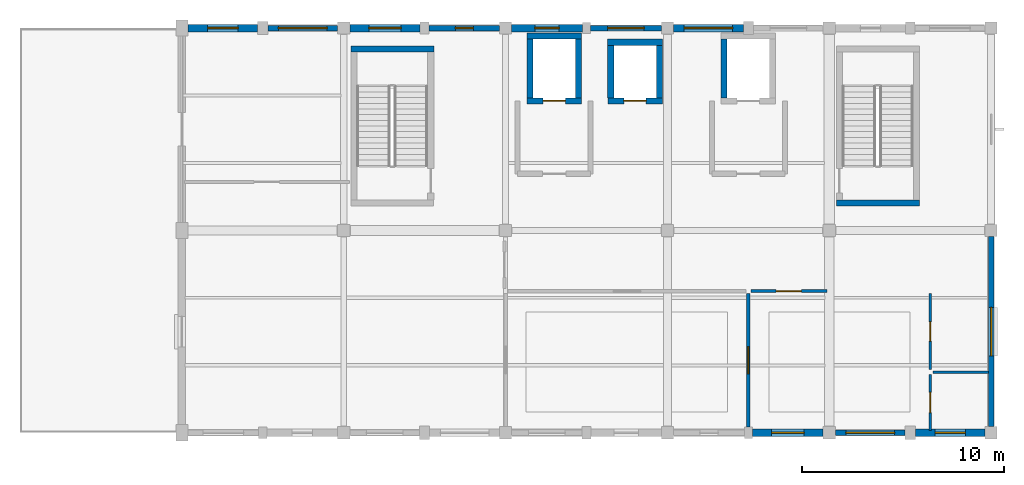
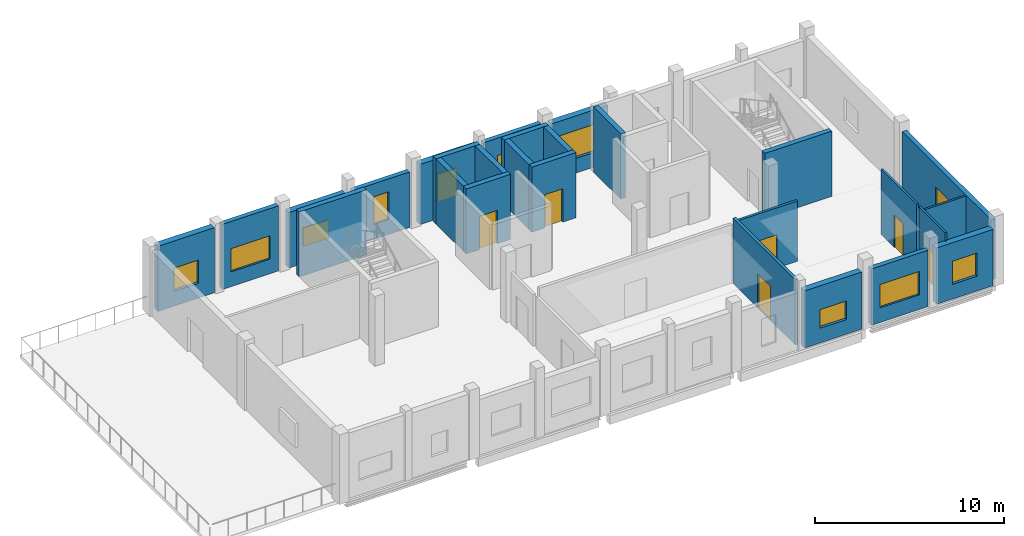
# One storey, part 3 of 6: 27 walls, 11 windows, 6 doors, 17 openings.
"""IFC4 building model written with IfcOpenShell, lengths in metres."""

from ifc_helpers import new_model, si_unit, direction, frame, frame_2d, origin, place, context, subcontext, project, spatial, rectangle, extrude, material, layer, layer_set, type_object, element, fill, save


model = new_model("IFC4")

# Units and contexts
model_context = context("Model", 3, precision=1e-05, world=origin(), true_north=direction((0.0, 1.0)))
body_context = subcontext(model_context, "Body", "Model", "MODEL_VIEW")
ifc_project = project(units=[si_unit("LENGTHUNIT", "METRE"), si_unit("AREAUNIT", "SQUARE_METRE"), si_unit("VOLUMEUNIT", "CUBIC_METRE"), si_unit("PLANEANGLEUNIT", "RADIAN"), si_unit("MASSUNIT", "GRAM", prefix="KILO")], contexts=[model_context])

# Site, building, storey
site_placement = place(None, origin())
site = spatial("IfcSite", under=ifc_project, at=site_placement, CompositionType="ELEMENT")
building_placement = place(site_placement, origin())
building = spatial("IfcBuilding", under=site, at=building_placement, Name="Luwemba Playhouse", CompositionType="ELEMENT")
storey_placement = place(building_placement, frame((0.0, 0.0, 18.300048828125)))
storey = spatial("IfcBuildingStorey", under=building, at=storey_placement, Name="L04", CompositionType="ELEMENT", Elevation=18.300048828125)

# Wall, opening, window
ifc_material_1 = material(Name="Clay facing brick obra vista masonry", Category="masonry")
ifc_layer_1 = layer(ifc_material_1, 0.3798828125)
ifc_layer_set_1 = layer_set([ifc_layer_1], Name="Clay facing brick obra vista masonry")
wall_type_1 = type_object("IfcWallType", Name="WAL-BRK-380", PredefinedType="SOLIDWALL", material=ifc_layer_set_1)
wall_1_placement = place(storey_placement, frame((132.300048828125, 115.0, 0.0), z_axis=(0.0, 0.0, 1.0), x_axis=(1.0, 0.0, 0.0)))
wall_1 = element("IfcWall", 1, at=wall_1_placement, inside=storey, type_object=wall_type_1, Name="L04 V6E exterior facade wall 0478", PredefinedType="SOLIDWALL", context=body_context, shape_type="SweptSolid", body=[
    extrude(rectangle(XDim=3.449951171875, YDim=0.3798828125, at=frame_2d((1.72509765625, 0.0))), origin(), (0.0, 0.0, 1.0), 4.199951171875),
])
opening_1_placement = place(wall_1_placement, frame((0.97509765625, 0.0, 0.949951171875)))
opening_1 = element("IfcOpeningElement", 2, at=opening_1_placement, cuts=wall_1, Name="Opening WN-09", PredefinedType="OPENING", context=body_context, shape_type="SweptSolid", body=[
    extrude(rectangle(XDim=1.5, YDim=1.5, at=frame_2d((0.75, 0.75))), frame((0.0, 0.199951171875, 0.0), z_axis=(0.0, -1.0, 0.0), x_axis=(1.0, 0.0, 0.0)), (0.0, 0.0, 1.0), 0.39990234375),
])
ifc_material_2 = material(Name="Solar-control double glazing in aluminium frame", Category="aluminium")
window_type_1 = type_object("IfcWindowType", Name="WIN-WN-09", PartitioningType="DOUBLE_PANEL_VERTICAL", PredefinedType="WINDOW", material=ifc_material_2)
window_1_placement = place(opening_1_placement, origin())
window_1 = element("IfcWindow", 3, at=window_1_placement, inside=storey, type_object=window_type_1, Name="L04 V6E scheduled window 0417", OverallHeight=1.5, OverallWidth=1.5, PartitioningType="DOUBLE_PANEL_VERTICAL", PredefinedType="WINDOW", context=body_context, shape_type="SweptSolid", body=[
    extrude(rectangle(XDim=1.5, YDim=1.5, at=frame_2d((0.75, 0.75))), frame((0.0, 0.030029296875, 0.0), z_axis=(0.0, -1.0, 0.0), x_axis=(1.0, 0.0, 0.0)), (0.0, 0.0, 1.0), 0.06005859375),
])
fill(opening_1, window_1)

wall_2_placement = place(storey_placement, frame((140.300048828125, 115.0, 0.0), z_axis=(0.0, 0.0, 1.0), x_axis=(1.0, 0.0, 0.0)))
wall_2 = element("IfcWall", 4, at=wall_2_placement, inside=storey, type_object=wall_type_1, Name="L04 V6E exterior facade wall 0480", PredefinedType="SOLIDWALL", context=body_context, shape_type="SweptSolid", body=[
    extrude(rectangle(XDim=3.474853515625, YDim=0.3798828125, at=frame_2d((1.7373046875, 0.0))), origin(), (0.0, 0.0, 1.0), 3.5849609375),
])
opening_2_placement = place(wall_2_placement, frame((0.9375, 0.0, 0.949951171875)))
opening_2 = element("IfcOpeningElement", 5, at=opening_2_placement, cuts=wall_2, Name="Opening WN-15", PredefinedType="OPENING", context=body_context, shape_type="SweptSolid", body=[
    extrude(rectangle(XDim=1.60009765625, YDim=1.199951171875, at=frame_2d((0.800048828125, 0.60009765625))), frame((0.0, 0.199951171875, 0.0), z_axis=(0.0, -1.0, 0.0), x_axis=(1.0, 0.0, 0.0)), (0.0, 0.0, 1.0), 0.39990234375),
])
window_type_2 = type_object("IfcWindowType", Name="WIN-WN-15", PartitioningType="DOUBLE_PANEL_HORIZONTAL", PredefinedType="WINDOW", material=ifc_material_2)
window_2_placement = place(opening_2_placement, origin())
window_2 = element("IfcWindow", 6, at=window_2_placement, inside=storey, type_object=window_type_2, Name="L04 V6E scheduled window 0419", OverallHeight=1.199951171875, OverallWidth=1.60009765625, PartitioningType="DOUBLE_PANEL_HORIZONTAL", PredefinedType="WINDOW", context=body_context, shape_type="SweptSolid", body=[
    extrude(rectangle(XDim=1.60009765625, YDim=1.199951171875, at=frame_2d((0.800048828125, 0.60009765625))), frame((0.0, 0.030029296875, 0.0), z_axis=(0.0, -1.0, 0.0), x_axis=(1.0, 0.0, 0.0)), (0.0, 0.0, 1.0), 0.06005859375),
])
fill(opening_2, window_2)

wall_3_placement = place(storey_placement, frame((148.300048828125, 115.0, 0.0), z_axis=(0.0, 0.0, 1.0), x_axis=(1.0, 0.0, 0.0)))
wall_3 = element("IfcWall", 7, at=wall_3_placement, inside=storey, type_object=wall_type_1, Name="L04 V6E exterior facade wall 0482", PredefinedType="SOLIDWALL", context=body_context, shape_type="SweptSolid", body=[
    extrude(rectangle(XDim=3.5, YDim=0.3798828125, at=frame_2d((1.75, 0.0))), origin(), (0.0, 0.0, 1.0), 3.885009765625),
])
opening_3_placement = place(wall_3_placement, frame((1.14990234375, 0.0, 0.949951171875)))
opening_3 = element("IfcOpeningElement", 8, at=opening_3_placement, cuts=wall_3, Name="Opening WN-01", PredefinedType="OPENING", context=body_context, shape_type="SweptSolid", body=[
    extrude(rectangle(XDim=1.199951171875, YDim=1.800048828125, at=frame_2d((0.60009765625, 0.89990234375))), frame((0.0, 0.199951171875, 0.0), z_axis=(0.0, -1.0, 0.0), x_axis=(1.0, 0.0, 0.0)), (0.0, 0.0, 1.0), 0.39990234375),
])
window_type_3 = type_object("IfcWindowType", Name="WIN-WN-01", PartitioningType="SINGLE_PANEL", PredefinedType="WINDOW", material=ifc_material_2)
window_3_placement = place(opening_3_placement, origin())
window_3 = element("IfcWindow", 9, at=window_3_placement, inside=storey, type_object=window_type_3, Name="L04 V6E scheduled window 0421", OverallHeight=1.800048828125, OverallWidth=1.199951171875, PartitioningType="SINGLE_PANEL", PredefinedType="WINDOW", context=body_context, shape_type="SweptSolid", body=[
    extrude(rectangle(XDim=1.199951171875, YDim=1.800048828125, at=frame_2d((0.60009765625, 0.89990234375))), frame((0.0, 0.030029296875, 0.0), z_axis=(0.0, -1.0, 0.0), x_axis=(1.0, 0.0, 0.0)), (0.0, 0.0, 1.0), 0.06005859375),
])
fill(opening_3, window_3)

wall_4_placement = place(storey_placement, frame((156.300048828125, 115.0, 0.0), z_axis=(0.0, 0.0, 1.0), x_axis=(1.0, 0.0, 0.0)))
wall_4 = element("IfcWall", 10, at=wall_4_placement, inside=storey, type_object=wall_type_1, Name="L04 V6E exterior facade wall 0484", PredefinedType="SOLIDWALL", context=body_context, shape_type="SweptSolid", body=[
    extrude(rectangle(XDim=3.449951171875, YDim=0.3798828125, at=frame_2d((1.72509765625, 0.0))), origin(), (0.0, 0.0, 1.0), 3.68505859375),
])
opening_4_placement = place(wall_4_placement, frame((0.52490234375, 0.0, 0.949951171875)))
opening_4 = element("IfcOpeningElement", 11, at=opening_4_placement, cuts=wall_4, Name="Opening WN-07", PredefinedType="OPENING", context=body_context, shape_type="SweptSolid", body=[
    extrude(rectangle(XDim=2.39990234375, YDim=1.800048828125, at=frame_2d((1.199951171875, 0.89990234375))), frame((0.0, 0.199951171875, 0.0), z_axis=(0.0, -1.0, 0.0), x_axis=(1.0, 0.0, 0.0)), (0.0, 0.0, 1.0), 0.39990234375),
])
window_type_4 = type_object("IfcWindowType", Name="WIN-WN-07", PartitioningType="TRIPLE_PANEL_VERTICAL", PredefinedType="WINDOW", material=ifc_material_2)
window_4_placement = place(opening_4_placement, origin())
window_4 = element("IfcWindow", 12, at=window_4_placement, inside=storey, type_object=window_type_4, Name="L04 V6E scheduled window 0423", OverallHeight=1.800048828125, OverallWidth=2.39990234375, PartitioningType="TRIPLE_PANEL_VERTICAL", PredefinedType="WINDOW", context=body_context, shape_type="SweptSolid", body=[
    extrude(rectangle(XDim=2.39990234375, YDim=1.800048828125, at=frame_2d((1.199951171875, 0.89990234375))), frame((0.0, 0.030029296875, 0.0), z_axis=(0.0, -1.0, 0.0), x_axis=(1.0, 0.0, 0.0)), (0.0, 0.0, 1.0), 0.06005859375),
])
fill(opening_4, window_4)

wall_5_placement = place(storey_placement, frame((171.699951171875, 95.0, 0.0), z_axis=(0.0, 0.0, 1.0), x_axis=(-1.0, 0.0, 0.0)))
wall_5 = element("IfcWall", 13, at=wall_5_placement, inside=storey, type_object=wall_type_1, Name="L04 V6E exterior facade wall 0490", PredefinedType="SOLIDWALL", context=body_context, shape_type="SweptSolid", body=[
    extrude(rectangle(XDim=3.449951171875, YDim=0.3798828125, at=frame_2d((1.72509765625, 0.0))), origin(), (0.0, 0.0, 1.0), 3.635009765625),
])
opening_5_placement = place(wall_5_placement, frame((0.97509765625, 0.0, 0.949951171875)))
opening_5 = element("IfcOpeningElement", 14, at=opening_5_placement, cuts=wall_5, Name="Opening WN-09", PredefinedType="OPENING", context=body_context, shape_type="SweptSolid", body=[
    extrude(rectangle(XDim=1.5, YDim=1.5, at=frame_2d((0.75, 0.75))), frame((0.0, 0.199951171875, 0.0), z_axis=(0.0, -1.0, 0.0), x_axis=(1.0, 0.0, 0.0)), (0.0, 0.0, 1.0), 0.39990234375),
])
window_5_placement = place(opening_5_placement, origin())
window_5 = element("IfcWindow", 15, at=window_5_placement, inside=storey, type_object=window_type_1, Name="L04 V6E scheduled window 0429", OverallHeight=1.5, OverallWidth=1.5, PartitioningType="DOUBLE_PANEL_VERTICAL", PredefinedType="WINDOW", context=body_context, shape_type="SweptSolid", body=[
    extrude(rectangle(XDim=1.5, YDim=1.5, at=frame_2d((0.75, 0.75))), frame((0.0, 0.030029296875, 0.0), z_axis=(0.0, -1.0, 0.0), x_axis=(1.0, 0.0, 0.0)), (0.0, 0.0, 1.0), 0.06005859375),
])
fill(opening_5, window_5)

wall_6_placement = place(storey_placement, frame((163.699951171875, 95.0, 0.0), z_axis=(0.0, 0.0, 1.0), x_axis=(-1.0, 0.0, 0.0)))
wall_6 = element("IfcWall", 16, at=wall_6_placement, inside=storey, type_object=wall_type_1, Name="L04 V6E exterior facade wall 0492", PredefinedType="SOLIDWALL", context=body_context, shape_type="SweptSolid", body=[
    extrude(rectangle(XDim=3.5, YDim=0.3798828125, at=frame_2d((1.75, 0.0))), origin(), (0.0, 0.0, 1.0), 3.68505859375),
])
opening_6_placement = place(wall_6_placement, frame((0.949951171875, 0.0, 0.949951171875)))
opening_6 = element("IfcOpeningElement", 17, at=opening_6_placement, cuts=wall_6, Name="Opening WN-15", PredefinedType="OPENING", context=body_context, shape_type="SweptSolid", body=[
    extrude(rectangle(XDim=1.60009765625, YDim=1.199951171875, at=frame_2d((0.800048828125, 0.60009765625))), frame((0.0, 0.199951171875, 0.0), z_axis=(0.0, -1.0, 0.0), x_axis=(1.0, 0.0, 0.0)), (0.0, 0.0, 1.0), 0.39990234375),
])
window_6_placement = place(opening_6_placement, origin())
window_6 = element("IfcWindow", 18, at=window_6_placement, inside=storey, type_object=window_type_2, Name="L04 V6E scheduled window 0431", OverallHeight=1.199951171875, OverallWidth=1.60009765625, PartitioningType="DOUBLE_PANEL_HORIZONTAL", PredefinedType="WINDOW", context=body_context, shape_type="SweptSolid", body=[
    extrude(rectangle(XDim=1.60009765625, YDim=1.199951171875, at=frame_2d((0.800048828125, 0.60009765625))), frame((0.0, 0.030029296875, 0.0), z_axis=(0.0, -1.0, 0.0), x_axis=(1.0, 0.0, 0.0)), (0.0, 0.0, 1.0), 0.06005859375),
])
fill(opening_6, window_6)

# Walls
ifc_material_3 = material(Name="Concrete C40/50", Category="concrete")
ifc_layer_2 = layer(ifc_material_3, 0.300048828125)
ifc_layer_set_2 = layer_set([ifc_layer_2], Name="Concrete C40/50")
wall_type_2 = type_object("IfcWallType", Name="WAL-CORE-300", PredefinedType="SHEAR", material=ifc_layer_set_2)
for number, where, z_axis, x_axis, name in (
    (19, (144.449951171875, 113.969970703125, 0.0), (0.0, 0.0, 1.0), (-1.0, 0.0, 0.0), "L04 ST-09 stair core wall N"),
    (20, (164.35009765625, 106.35009765625, 0.0), (0.0, 0.0, 1.0), (1.0, 0.0, 0.0), "L04 ST-10 stair core wall S"),
):
    element("IfcWall", number, at=place(storey_placement, frame(where, z_axis=z_axis, x_axis=x_axis)), inside=storey, type_object=wall_type_2, Name=name, PredefinedType="SHEAR", context=body_context, shape_type="SweptSolid", body=[
        extrude(rectangle(XDim=4.099853515625, YDim=0.300048828125, at=frame_2d((2.0498046875, 0.0))), origin(), (0.0, 0.0, 1.0), 4.199951171875),
    ])

# Wall, opening, door
wall_7_placement = place(storey_placement, frame((149.050048828125, 111.39990234375, 0.0), z_axis=(0.0, 0.0, 1.0), x_axis=(1.0, 0.0, 0.0)))
wall_7 = element("IfcWall", 21, at=wall_7_placement, inside=storey, type_object=wall_type_2, Name="L04 Lift LF-FF1 shaft wall S", PredefinedType="SHEAR", context=body_context, shape_type="SweptSolid", body=[
    extrude(rectangle(XDim=2.699951171875, YDim=0.300048828125, at=frame_2d((1.35009765625, 0.0))), origin(), (0.0, 0.0, 1.0), 4.199951171875),
])
opening_7_placement = place(wall_7_placement, frame((0.800048828125, 0.0, 0.0)))
opening_7 = element("IfcOpeningElement", 22, at=opening_7_placement, cuts=wall_7, Name="Opening LD-01", PredefinedType="OPENING", context=body_context, shape_type="SweptSolid", body=[
    extrude(rectangle(XDim=1.10009765625, YDim=2.14990234375, at=frame_2d((0.550048828125, 1.074951171875))), frame((0.0, 0.159912109375, 0.0), z_axis=(0.0, -1.0, 0.0), x_axis=(1.0, 0.0, 0.0)), (0.0, 0.0, 1.0), 0.320068359375),
])
ifc_material_4 = material(Name="Stainless steel lift landing doors", Category="steel")
door_type_1 = type_object("IfcDoorType", Name="DR-LIFT-110", OperationType="NOTDEFINED", PredefinedType="DOOR", material=ifc_material_4)
door_1_placement = place(opening_7_placement, origin())
door_1 = element("IfcDoor", 23, at=door_1_placement, inside=storey, type_object=door_type_1, Name="L04 Lift LF-FF1 landing door", OperationType="DOUBLE_DOOR_SLIDING", OverallHeight=2.14990234375, OverallWidth=1.10009765625, PredefinedType="DOOR", context=body_context, shape_type="SweptSolid", body=[
    extrude(rectangle(XDim=1.10009765625, YDim=2.14990234375, at=frame_2d((0.550048828125, 1.074951171875))), frame((0.0, 0.02490234375, 0.0), z_axis=(0.0, -1.0, 0.0), x_axis=(1.0, 0.0, 0.0)), (0.0, 0.0, 1.0), 0.050048828125),
])
fill(opening_7, door_1)

# Walls
wall_8_placement = place(storey_placement, frame((151.75, 114.60009765625, 0.0), z_axis=(0.0, 0.0, 1.0), x_axis=(-1.0, 0.0, 0.0)))
element("IfcWall", 24, at=wall_8_placement, inside=storey, type_object=wall_type_2, Name="L04 Lift LF-FF1 shaft wall N", PredefinedType="SHEAR", context=body_context, shape_type="SweptSolid", body=[
    extrude(rectangle(XDim=2.699951171875, YDim=0.300048828125, at=frame_2d((1.35009765625, 0.0))), origin(), (0.0, 0.0, 1.0), 4.199951171875),
])
for number, where, z_axis, x_axis, name in (
    (25, (149.199951171875, 111.550048828125, 0.0), (0.0, 0.0, 1.0), (0.0, 1.0, 0.0), "L04 Lift LF-FF1 shaft wall W"),
    (26, (151.60009765625, 114.449951171875, 0.0), (0.0, 0.0, 1.0), (0.0, -1.0, 0.0), "L04 Lift LF-FF1 shaft wall E"),
    (27, (158.800048828125, 111.550048828125, 0.0), (0.0, 0.0, 1.0), (0.0, 1.0, 0.0), "L04 Lift LF-FF2 shaft wall W"),
):
    element("IfcWall", number, at=place(storey_placement, frame(where, z_axis=z_axis, x_axis=x_axis)), inside=storey, type_object=wall_type_2, Name=name, PredefinedType="SHEAR", context=body_context, shape_type="SweptSolid", body=[
        extrude(rectangle(XDim=2.89990234375, YDim=0.300048828125, at=frame_2d((1.449951171875, 0.0))), origin(), (0.0, 0.0, 1.0), 4.199951171875),
    ])

# Wall, opening, door
wall_9_placement = place(storey_placement, frame((153.050048828125, 111.39990234375, 0.0), z_axis=(0.0, 0.0, 1.0), x_axis=(1.0, 0.0, 0.0)))
wall_9 = element("IfcWall", 28, at=wall_9_placement, inside=storey, type_object=wall_type_2, Name="L04 Lift LF-P6 shaft wall S", PredefinedType="SHEAR", context=body_context, shape_type="SweptSolid", body=[
    extrude(rectangle(XDim=2.699951171875, YDim=0.300048828125, at=frame_2d((1.35009765625, 0.0))), origin(), (0.0, 0.0, 1.0), 4.199951171875),
])
opening_8_placement = place(wall_9_placement, frame((0.800048828125, 0.0, 0.0)))
opening_8 = element("IfcOpeningElement", 29, at=opening_8_placement, cuts=wall_9, Name="Opening LD-01", PredefinedType="OPENING", context=body_context, shape_type="SweptSolid", body=[
    extrude(rectangle(XDim=1.10009765625, YDim=2.14990234375, at=frame_2d((0.550048828125, 1.074951171875))), frame((0.0, 0.159912109375, 0.0), z_axis=(0.0, -1.0, 0.0), x_axis=(1.0, 0.0, 0.0)), (0.0, 0.0, 1.0), 0.320068359375),
])
door_2_placement = place(opening_8_placement, origin())
door_2 = element("IfcDoor", 30, at=door_2_placement, inside=storey, type_object=door_type_1, Name="L04 Lift LF-P6 landing door", OperationType="DOUBLE_DOOR_SLIDING", OverallHeight=2.14990234375, OverallWidth=1.10009765625, PredefinedType="DOOR", context=body_context, shape_type="SweptSolid", body=[
    extrude(rectangle(XDim=1.10009765625, YDim=2.14990234375, at=frame_2d((0.550048828125, 1.074951171875))), frame((0.0, 0.02490234375, 0.0), z_axis=(0.0, -1.0, 0.0), x_axis=(1.0, 0.0, 0.0)), (0.0, 0.0, 1.0), 0.050048828125),
])
fill(opening_8, door_2)

# Walls
wall_10_placement = place(storey_placement, frame((155.75, 114.300048828125, 0.0), z_axis=(0.0, 0.0, 1.0), x_axis=(-1.0, 0.0, 0.0)))
element("IfcWall", 31, at=wall_10_placement, inside=storey, type_object=wall_type_2, Name="L04 Lift LF-P6 shaft wall N", PredefinedType="SHEAR", context=body_context, shape_type="SweptSolid", body=[
    extrude(rectangle(XDim=2.699951171875, YDim=0.300048828125, at=frame_2d((1.35009765625, 0.0))), origin(), (0.0, 0.0, 1.0), 4.199951171875),
])
for number, where, z_axis, x_axis, name in (
    (32, (153.199951171875, 111.550048828125, 0.0), (0.0, 0.0, 1.0), (0.0, 1.0, 0.0), "L04 Lift LF-P6 shaft wall W"),
    (33, (155.60009765625, 114.14990234375, 0.0), (0.0, 0.0, 1.0), (0.0, -1.0, 0.0), "L04 Lift LF-P6 shaft wall E"),
):
    element("IfcWall", number, at=place(storey_placement, frame(where, z_axis=z_axis, x_axis=x_axis)), inside=storey, type_object=wall_type_2, Name=name, PredefinedType="SHEAR", context=body_context, shape_type="SweptSolid", body=[
        extrude(rectangle(XDim=2.599853515625, YDim=0.300048828125, at=frame_2d((1.2998046875, 0.0))), origin(), (0.0, 0.0, 1.0), 4.199951171875),
    ])

# Wall, opening, door
ifc_material_5 = material(Name="Moisture-resistant sanitary partition", Category="gypsum")
ifc_layer_3 = layer(ifc_material_5, 0.1201171875)
ifc_layer_set_3 = layer_set([ifc_layer_3], Name="Moisture-resistant sanitary partition")
wall_type_3 = type_object("IfcWallType", Name="WAL-INT-120", PredefinedType="PARTITIONING", material=ifc_layer_set_3)
wall_11_placement = place(storey_placement, frame((169.0, 95.1201171875, 0.0), z_axis=(0.0, 0.0, 1.0), x_axis=(0.0, 1.0, 0.0)))
wall_11 = element("IfcWall", 34, at=wall_11_placement, inside=storey, type_object=wall_type_3, Name="L04 V6E interior partition 0222", PredefinedType="PARTITIONING", context=body_context, shape_type="SweptSolid", body=[
    extrude(rectangle(XDim=2.759765625, YDim=0.1201171875, at=frame_2d((1.3798828125, 0.0))), origin(), (0.0, 0.0, 1.0), 4.199951171875),
])
opening_9_placement = place(wall_11_placement, frame((0.8798828125, 0.0, 0.0)))
opening_9 = element("IfcOpeningElement", 35, at=opening_9_placement, cuts=wall_11, Name="Opening D-AWC", PredefinedType="OPENING", context=body_context, shape_type="SweptSolid", body=[
    extrude(rectangle(XDim=1.0, YDim=2.10009765625, at=frame_2d((0.5, 1.050048828125))), frame((0.0, 0.070068359375, 0.0), z_axis=(0.0, -1.0, 0.0), x_axis=(1.0, 0.0, 0.0)), (0.0, 0.0, 1.0), 0.14013671875),
])
ifc_material_6 = material(Name="Accessible WC outward-assisted timber door", Category="wood")
door_type_2 = type_object("IfcDoorType", Name="DR-AWC-100", OperationType="NOTDEFINED", PredefinedType="DOOR", material=ifc_material_6)
door_3_placement = place(opening_9_placement, origin())
door_3 = element("IfcDoor", 36, at=door_3_placement, inside=storey, type_object=door_type_2, Name="L04 Playwrights Workshop Seminar Room to Conservatory Level 4 Accessible WC door", OperationType="SINGLE_SWING_LEFT", OverallHeight=2.10009765625, OverallWidth=1.0, PredefinedType="DOOR", context=body_context, shape_type="SweptSolid", body=[
    extrude(rectangle(XDim=1.0, YDim=2.10009765625, at=frame_2d((0.5, 1.050048828125))), frame((0.0, 0.02490234375, 0.0), z_axis=(0.0, -1.0, 0.0), x_axis=(1.0, 0.0, 0.0)), (0.0, 0.0, 1.0), 0.050048828125),
])
fill(opening_9, door_3)

wall_12_placement = place(storey_placement, frame((169.0, 98.1201171875, 0.0), z_axis=(0.0, 0.0, 1.0), x_axis=(0.0, 1.0, 0.0)))
wall_12 = element("IfcWall", 37, at=wall_12_placement, inside=storey, type_object=wall_type_3, Name="L04 V6E interior partition 0223", PredefinedType="PARTITIONING", context=body_context, shape_type="SweptSolid", body=[
    extrude(rectangle(XDim=3.759765625, YDim=0.1201171875, at=frame_2d((1.8798828125, 0.0))), origin(), (0.0, 0.0, 1.0), 4.199951171875),
])
opening_10_placement = place(wall_12_placement, frame((1.405029296875, 0.0, 0.0)))
opening_10 = element("IfcOpeningElement", 38, at=opening_10_placement, cuts=wall_12, Name="Opening D-WC1", PredefinedType="OPENING", context=body_context, shape_type="SweptSolid", body=[
    extrude(rectangle(XDim=0.949951171875, YDim=2.10009765625, at=frame_2d((0.47509765625, 1.050048828125))), frame((0.0, 0.070068359375, 0.0), z_axis=(0.0, -1.0, 0.0), x_axis=(1.0, 0.0, 0.0)), (0.0, 0.0, 1.0), 0.14013671875),
])
ifc_material_7 = material(Name="Moisture-resistant laminate door", Category="wood")
door_type_3 = type_object("IfcDoorType", Name="DR-WC-095", OperationType="NOTDEFINED", PredefinedType="DOOR", material=ifc_material_7)
door_4_placement = place(opening_10_placement, origin())
door_4 = element("IfcDoor", 39, at=door_4_placement, inside=storey, type_object=door_type_3, Name="L04 Playwrights Workshop Seminar Room to Conservatory Level 4 Staff Toilets door", OperationType="SINGLE_SWING_RIGHT", OverallHeight=2.10009765625, OverallWidth=0.949951171875, PredefinedType="DOOR", context=body_context, shape_type="SweptSolid", body=[
    extrude(rectangle(XDim=0.949951171875, YDim=2.10009765625, at=frame_2d((0.47509765625, 1.050048828125))), frame((0.0, 0.02490234375, 0.0), z_axis=(0.0, -1.0, 0.0), x_axis=(1.0, 0.0, 0.0)), (0.0, 0.0, 1.0), 0.050048828125),
])
fill(opening_10, door_4)

# Wall
wall_13_placement = place(storey_placement, frame((169.1201171875, 98.0, 0.0), z_axis=(0.0, 0.0, 1.0), x_axis=(1.0, 0.0, 0.0)))
element("IfcWall", 40, at=wall_13_placement, inside=storey, type_object=wall_type_3, Name="L04 V6E interior partition 0224", PredefinedType="PARTITIONING", context=body_context, shape_type="SweptSolid", body=[
    extrude(rectangle(XDim=2.759765625, YDim=0.1201171875, at=frame_2d((1.3798828125, 0.0))), origin(), (0.0, 0.0, 1.0), 3.824951171875),
])

# Wall, opening, door
ifc_material_8 = material(Name="Acoustic gypsum stud partition", Category="gypsum")
ifc_layer_4 = layer(ifc_material_8, 0.14990234375)
ifc_layer_set_4 = layer_set([ifc_layer_4], Name="Acoustic gypsum stud partition")
wall_type_4 = type_object("IfcWallType", Name="WAL-INT-150", PredefinedType="PARTITIONING", material=ifc_layer_set_4)
wall_14_placement = place(storey_placement, frame((160.1201171875, 102.0, 0.0), z_axis=(0.0, 0.0, 1.0), x_axis=(1.0, 0.0, 0.0)))
wall_14 = element("IfcWall", 41, at=wall_14_placement, inside=storey, type_object=wall_type_4, Name="L04 V6E interior partition 0221", PredefinedType="PARTITIONING", context=body_context, shape_type="SweptSolid", body=[
    extrude(rectangle(XDim=3.759765625, YDim=0.14990234375, at=frame_2d((1.8798828125, 0.0))), origin(), (0.0, 0.0, 1.0), 3.885009765625),
])
opening_11_placement = place(wall_14_placement, frame((1.2548828125, 0.0, 0.0)))
opening_11 = element("IfcOpeningElement", 42, at=opening_11_placement, cuts=wall_14, Name="Opening D-IN1", PredefinedType="OPENING", context=body_context, shape_type="SweptSolid", body=[
    extrude(rectangle(XDim=1.25, YDim=2.14990234375, at=frame_2d((0.625, 1.074951171875))), frame((0.0, 0.0849609375, 0.0), z_axis=(0.0, -1.0, 0.0), x_axis=(1.0, 0.0, 0.0)), (0.0, 0.0, 1.0), 0.169921875),
])
ifc_material_9 = material(Name="Solid hardwood interior door", Category="wood")
door_type_4 = type_object("IfcDoorType", Name="DR-INT-125", OperationType="NOTDEFINED", PredefinedType="DOOR", material=ifc_material_9)
door_5_placement = place(opening_11_placement, origin())
door_5 = element("IfcDoor", 43, at=door_5_placement, inside=storey, type_object=door_type_4, Name="L04 Playwrights Workshop Seminar Room to Conservatory Level 4 Corridor door", OperationType="SINGLE_SWING_RIGHT", OverallHeight=2.14990234375, OverallWidth=1.25, PredefinedType="DOOR", context=body_context, shape_type="SweptSolid", body=[
    extrude(rectangle(XDim=1.25, YDim=2.14990234375, at=frame_2d((0.625, 1.074951171875))), frame((0.0, 0.02490234375, 0.0), z_axis=(0.0, -1.0, 0.0), x_axis=(1.0, 0.0, 0.0)), (0.0, 0.0, 1.0), 0.050048828125),
])
fill(opening_11, door_5)

ifc_material_10 = material(Name="Double-stud acoustic gypsum partition", Category="gypsum")
ifc_layer_5 = layer(ifc_material_10, 0.179931640625)
ifc_layer_set_5 = layer_set([ifc_layer_5], Name="Double-stud acoustic gypsum partition")
wall_type_5 = type_object("IfcWallType", Name="WAL-INT-180", PredefinedType="PARTITIONING", material=ifc_layer_set_5)
wall_15_placement = place(storey_placement, frame((160.0, 95.294921875, 0.0), z_axis=(0.0, 0.0, 1.0), x_axis=(0.0, 1.0, 0.0)))
wall_15 = element("IfcWall", 44, at=wall_15_placement, inside=storey, type_object=wall_type_5, Name="L04 V6E interior partition 0219", PredefinedType="PARTITIONING", context=body_context, shape_type="SweptSolid", body=[
    extrude(rectangle(XDim=6.5849609375, YDim=0.179931640625, at=frame_2d((3.29248046875, 0.0))), origin(), (0.0, 0.0, 1.0), 4.199951171875),
])
opening_12_placement = place(wall_15_placement, frame((2.617431640625, 0.0, 0.0)))
opening_12 = element("IfcOpeningElement", 45, at=opening_12_placement, cuts=wall_15, Name="Opening D-STU1", PredefinedType="OPENING", context=body_context, shape_type="SweptSolid", body=[
    extrude(rectangle(XDim=1.35009765625, YDim=2.199951171875, at=frame_2d((0.675048828125, 1.10009765625))), frame((0.0, 0.099853515625, 0.0), z_axis=(0.0, -1.0, 0.0), x_axis=(1.0, 0.0, 0.0)), (0.0, 0.0, 1.0), 0.199951171875),
])
ifc_material_11 = material(Name="Acoustic studio door", Category="wood")
door_type_5 = type_object("IfcDoorType", Name="DR-STU-135", OperationType="NOTDEFINED", PredefinedType="DOOR", material=ifc_material_11)
door_6_placement = place(opening_12_placement, origin())
door_6 = element("IfcDoor", 46, at=door_6_placement, inside=storey, type_object=door_type_5, Name="L04 Resident Stage and Set Design Studio to Playwrights Workshop Seminar Room door", OperationType="SINGLE_SWING_RIGHT", OverallHeight=2.199951171875, OverallWidth=1.35009765625, PredefinedType="DOOR", context=body_context, shape_type="SweptSolid", body=[
    extrude(rectangle(XDim=1.35009765625, YDim=2.199951171875, at=frame_2d((0.675048828125, 1.10009765625))), frame((0.0, 0.02490234375, 0.0), z_axis=(0.0, -1.0, 0.0), x_axis=(1.0, 0.0, 0.0)), (0.0, 0.0, 1.0), 0.050048828125),
])
fill(opening_12, door_6)

# Wall, opening, window
ifc_material_12 = material(Name="Structural timber GL24h infill", Category="wood")
ifc_layer_6 = layer(ifc_material_12, 0.280029296875)
ifc_layer_set_6 = layer_set([ifc_layer_6], Name="Structural timber GL24h infill")
wall_type_6 = type_object("IfcWallType", Name="WAL-TIM-280", PredefinedType="SOLIDWALL", material=ifc_layer_set_6)
wall_16_placement = place(storey_placement, frame((136.25, 115.0, 0.0), z_axis=(0.0, 0.0, 1.0), x_axis=(1.0, 0.0, 0.0)))
wall_16 = element("IfcWall", 47, at=wall_16_placement, inside=storey, type_object=wall_type_6, Name="L04 V6E exterior facade wall 0479", PredefinedType="SOLIDWALL", context=body_context, shape_type="SweptSolid", body=[
    extrude(rectangle(XDim=3.449951171875, YDim=0.280029296875, at=frame_2d((1.72509765625, 0.0))), origin(), (0.0, 0.0, 1.0), 4.199951171875),
])
opening_13_placement = place(wall_16_placement, frame((0.52490234375, 0.0, 0.949951171875)))
opening_13 = element("IfcOpeningElement", 48, at=opening_13_placement, cuts=wall_16, Name="Opening WN-12", PredefinedType="OPENING", context=body_context, shape_type="SweptSolid", body=[
    extrude(rectangle(XDim=2.39990234375, YDim=1.5, at=frame_2d((1.199951171875, 0.75))), frame((0.0, 0.14990234375, 0.0), z_axis=(0.0, -1.0, 0.0), x_axis=(1.0, 0.0, 0.0)), (0.0, 0.0, 1.0), 0.300048828125),
])
window_type_5 = type_object("IfcWindowType", Name="WIN-WN-12", PartitioningType="TRIPLE_PANEL_VERTICAL", PredefinedType="WINDOW", material=ifc_material_2)
window_7_placement = place(opening_13_placement, origin())
window_7 = element("IfcWindow", 49, at=window_7_placement, inside=storey, type_object=window_type_5, Name="L04 V6E scheduled window 0418", OverallHeight=1.5, OverallWidth=2.39990234375, PartitioningType="TRIPLE_PANEL_VERTICAL", PredefinedType="WINDOW", context=body_context, shape_type="SweptSolid", body=[
    extrude(rectangle(XDim=2.39990234375, YDim=1.5, at=frame_2d((1.199951171875, 0.75))), frame((0.0, 0.030029296875, 0.0), z_axis=(0.0, -1.0, 0.0), x_axis=(1.0, 0.0, 0.0)), (0.0, 0.0, 1.0), 0.06005859375),
])
fill(opening_13, window_7)

wall_17_placement = place(storey_placement, frame((144.22509765625, 115.0, 0.0), z_axis=(0.0, 0.0, 1.0), x_axis=(1.0, 0.0, 0.0)))
wall_17 = element("IfcWall", 50, at=wall_17_placement, inside=storey, type_object=wall_type_6, Name="L04 V6E exterior facade wall 0481", PredefinedType="SOLIDWALL", context=body_context, shape_type="SweptSolid", body=[
    extrude(rectangle(XDim=3.474853515625, YDim=0.280029296875, at=frame_2d((1.7373046875, 0.0))), origin(), (0.0, 0.0, 1.0), 3.5849609375),
])
opening_14_placement = place(wall_17_placement, frame((1.28759765625, 0.0, 0.949951171875)))
opening_14 = element("IfcOpeningElement", 51, at=opening_14_placement, cuts=wall_17, Name="Opening WN-18", PredefinedType="OPENING", context=body_context, shape_type="SweptSolid", body=[
    extrude(rectangle(XDim=0.89990234375, YDim=1.800048828125, at=frame_2d((0.449951171875, 0.89990234375))), frame((0.0, 0.14990234375, 0.0), z_axis=(0.0, -1.0, 0.0), x_axis=(1.0, 0.0, 0.0)), (0.0, 0.0, 1.0), 0.300048828125),
])
window_type_6 = type_object("IfcWindowType", Name="WIN-WN-18", PartitioningType="SINGLE_PANEL", PredefinedType="WINDOW", material=ifc_material_2)
window_8_placement = place(opening_14_placement, origin())
window_8 = element("IfcWindow", 52, at=window_8_placement, inside=storey, type_object=window_type_6, Name="L04 V6E scheduled window 0420", OverallHeight=1.800048828125, OverallWidth=0.89990234375, PartitioningType="SINGLE_PANEL", PredefinedType="WINDOW", context=body_context, shape_type="SweptSolid", body=[
    extrude(rectangle(XDim=0.89990234375, YDim=1.800048828125, at=frame_2d((0.449951171875, 0.89990234375))), frame((0.0, 0.030029296875, 0.0), z_axis=(0.0, -1.0, 0.0), x_axis=(1.0, 0.0, 0.0)), (0.0, 0.0, 1.0), 0.06005859375),
])
fill(opening_14, window_8)

wall_18_placement = place(storey_placement, frame((152.199951171875, 115.0, 0.0), z_axis=(0.0, 0.0, 1.0), x_axis=(1.0, 0.0, 0.0)))
wall_18 = element("IfcWall", 53, at=wall_18_placement, inside=storey, type_object=wall_type_6, Name="L04 V6E exterior facade wall 0483", PredefinedType="SOLIDWALL", context=body_context, shape_type="SweptSolid", body=[
    extrude(rectangle(XDim=3.5, YDim=0.280029296875, at=frame_2d((1.75, 0.0))), origin(), (0.0, 0.0, 1.0), 3.885009765625),
])
opening_15_placement = place(wall_18_placement, frame((0.85009765625, 0.0, 0.949951171875)))
opening_15 = element("IfcOpeningElement", 54, at=opening_15_placement, cuts=wall_18, Name="Opening WN-04", PredefinedType="OPENING", context=body_context, shape_type="SweptSolid", body=[
    extrude(rectangle(XDim=1.800048828125, YDim=1.800048828125, at=frame_2d((0.89990234375, 0.89990234375))), frame((0.0, 0.14990234375, 0.0), z_axis=(0.0, -1.0, 0.0), x_axis=(1.0, 0.0, 0.0)), (0.0, 0.0, 1.0), 0.300048828125),
])
window_type_7 = type_object("IfcWindowType", Name="WIN-WN-04", PartitioningType="DOUBLE_PANEL_VERTICAL", PredefinedType="WINDOW", material=ifc_material_2)
window_9_placement = place(opening_15_placement, origin())
window_9 = element("IfcWindow", 55, at=window_9_placement, inside=storey, type_object=window_type_7, Name="L04 V6E scheduled window 0422", OverallHeight=1.800048828125, OverallWidth=1.800048828125, PartitioningType="DOUBLE_PANEL_VERTICAL", PredefinedType="WINDOW", context=body_context, shape_type="SweptSolid", body=[
    extrude(rectangle(XDim=1.800048828125, YDim=1.800048828125, at=frame_2d((0.89990234375, 0.89990234375))), frame((0.0, 0.030029296875, 0.0), z_axis=(0.0, -1.0, 0.0), x_axis=(1.0, 0.0, 0.0)), (0.0, 0.0, 1.0), 0.06005859375),
])
fill(opening_15, window_9)

wall_19_placement = place(storey_placement, frame((172.0, 104.699951171875, 0.0), z_axis=(0.0, 0.0, 1.0), x_axis=(0.0, -1.0, 0.0)))
wall_19 = element("IfcWall", 56, at=wall_19_placement, inside=storey, type_object=wall_type_6, Name="L04 V6E exterior facade wall 0489", PredefinedType="SOLIDWALL", context=body_context, shape_type="SweptSolid", body=[
    extrude(rectangle(XDim=9.39990234375, YDim=0.280029296875, at=frame_2d((4.699951171875, 0.0))), origin(), (0.0, 0.0, 1.0), 3.885009765625),
])
opening_16_placement = place(wall_19_placement, frame((3.5, 0.0, 0.949951171875)))
opening_16 = element("IfcOpeningElement", 57, at=opening_16_placement, cuts=wall_19, Name="Opening WN-12", PredefinedType="OPENING", context=body_context, shape_type="SweptSolid", body=[
    extrude(rectangle(XDim=2.39990234375, YDim=1.5, at=frame_2d((1.199951171875, 0.75))), frame((0.0, 0.14990234375, 0.0), z_axis=(0.0, -1.0, 0.0), x_axis=(1.0, 0.0, 0.0)), (0.0, 0.0, 1.0), 0.300048828125),
])
window_10_placement = place(opening_16_placement, origin())
window_10 = element("IfcWindow", 58, at=window_10_placement, inside=storey, type_object=window_type_5, Name="L04 V6E scheduled window 0428", OverallHeight=1.5, OverallWidth=2.39990234375, PartitioningType="TRIPLE_PANEL_VERTICAL", PredefinedType="WINDOW", context=body_context, shape_type="SweptSolid", body=[
    extrude(rectangle(XDim=2.39990234375, YDim=1.5, at=frame_2d((1.199951171875, 0.75))), frame((0.0, 0.030029296875, 0.0), z_axis=(0.0, -1.0, 0.0), x_axis=(1.0, 0.0, 0.0)), (0.0, 0.0, 1.0), 0.06005859375),
])
fill(opening_16, window_10)

wall_20_placement = place(storey_placement, frame((167.75, 95.0, 0.0), z_axis=(0.0, 0.0, 1.0), x_axis=(-1.0, 0.0, 0.0)))
wall_20 = element("IfcWall", 59, at=wall_20_placement, inside=storey, type_object=wall_type_6, Name="L04 V6E exterior facade wall 0491", PredefinedType="SOLIDWALL", context=body_context, shape_type="SweptSolid", body=[
    extrude(rectangle(XDim=3.449951171875, YDim=0.280029296875, at=frame_2d((1.72509765625, 0.0))), origin(), (0.0, 0.0, 1.0), 3.635009765625),
])
opening_17_placement = place(wall_20_placement, frame((0.52490234375, 0.0, 0.949951171875)))
opening_17 = element("IfcOpeningElement", 60, at=opening_17_placement, cuts=wall_20, Name="Opening WN-12", PredefinedType="OPENING", context=body_context, shape_type="SweptSolid", body=[
    extrude(rectangle(XDim=2.39990234375, YDim=1.5, at=frame_2d((1.199951171875, 0.75))), frame((0.0, 0.14990234375, 0.0), z_axis=(0.0, -1.0, 0.0), x_axis=(1.0, 0.0, 0.0)), (0.0, 0.0, 1.0), 0.300048828125),
])
window_11_placement = place(opening_17_placement, origin())
window_11 = element("IfcWindow", 61, at=window_11_placement, inside=storey, type_object=window_type_5, Name="L04 V6E scheduled window 0430", OverallHeight=1.5, OverallWidth=2.39990234375, PartitioningType="TRIPLE_PANEL_VERTICAL", PredefinedType="WINDOW", context=body_context, shape_type="SweptSolid", body=[
    extrude(rectangle(XDim=2.39990234375, YDim=1.5, at=frame_2d((1.199951171875, 0.75))), frame((0.0, 0.030029296875, 0.0), z_axis=(0.0, -1.0, 0.0), x_axis=(1.0, 0.0, 0.0)), (0.0, 0.0, 1.0), 0.06005859375),
])
fill(opening_17, window_11)

save(model, "model.ifc")
